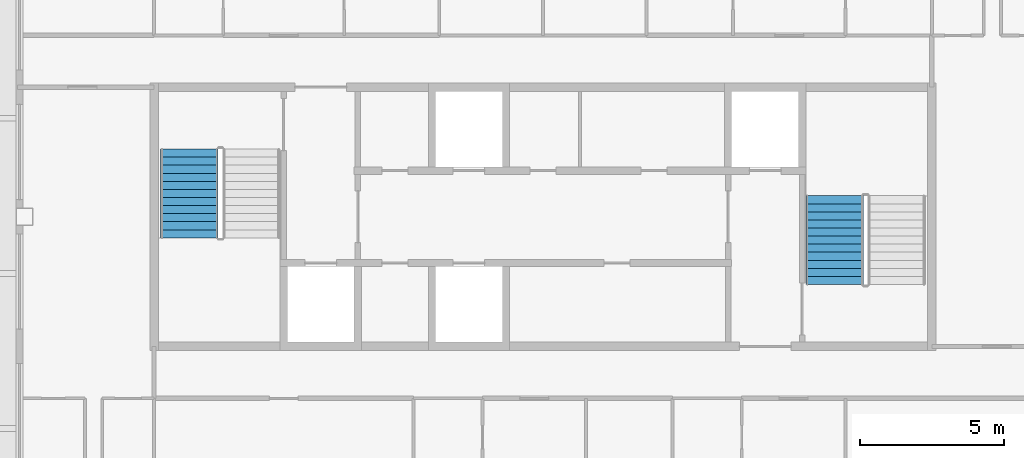
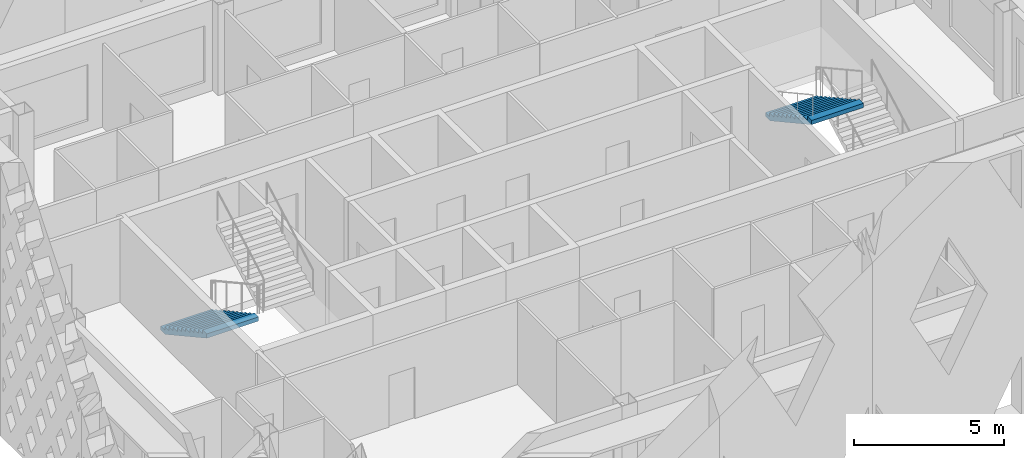
# One storey, part 7 of 13: 2 stair flights, 2 elements without a shape of their own.
"""IFC4 building model written with IfcOpenShell, lengths in metres."""

from ifc_helpers import new_model, si_unit, direction, frame, origin, place, context, subcontext, project, spatial, polygons, material, type_object, element, aggregate, save


model = new_model("IFC4")

# Units and contexts
model_context = context("Model", 3, precision=1e-05, world=origin(), true_north=direction((0.0, 1.0)))
body_context = subcontext(model_context, "Body", "Model", "MODEL_VIEW")
ifc_project = project(units=[si_unit("LENGTHUNIT", "METRE"), si_unit("AREAUNIT", "SQUARE_METRE"), si_unit("VOLUMEUNIT", "CUBIC_METRE"), si_unit("PLANEANGLEUNIT", "RADIAN"), si_unit("MASSUNIT", "GRAM", prefix="KILO")], contexts=[model_context])

# Site, building, storey
site_placement = place(None, origin())
site = spatial("IfcSite", under=ifc_project, at=site_placement, CompositionType="ELEMENT")
building_placement = place(site_placement, origin())
building = spatial("IfcBuilding", under=site, at=building_placement, Name="Caravel Reach Hotel and Residences", CompositionType="ELEMENT")
storey_placement = place(building_placement, frame((0.0, 0.0, 283.39990234375)))
storey = spatial("IfcBuildingStorey", under=building, at=storey_placement, Name="L72", CompositionType="ELEMENT", Elevation=283.39990234375)

# Stair, stair flight
ifc_material_1 = material(Name="Concrete C40", Category="concrete")
stair_type = type_object("IfcStairType", Name="Core stair", PredefinedType="HALF_TURN_STAIR", material=ifc_material_1)
stair_1_placement = place(storey_placement, origin())
stair_1 = element("IfcStair", 1, at=stair_1_placement, inside=storey, type_object=stair_type, Name="L72 Exit stair A", PredefinedType="HALF_TURN_STAIR")
ifc_material_2 = material(Name="Concrete C40", Category="concrete")
stair_flight_type = type_object("IfcStairFlightType", Name="Core stair flight", PredefinedType="STRAIGHT", material=ifc_material_2)
stair_flight_1_placement = place(storey_placement, frame((19.22509765625, 29.35009765625, 0.0), z_axis=(0.0, 0.0, 1.0), x_axis=(0.0, -1.0, 0.0)))
stair_flight_1 = element("IfcStairFlight", 2, at=stair_flight_1_placement, type_object=stair_flight_type, Name="ST-A flight 1", NumberOfRisers=12, NumberOfTreads=11, PredefinedType="STRAIGHT", RiserHeight=0.154166667, TreadLength=0.28, context=body_context, shape_type="Tessellation", body=[
    polygons([(0.3107950034306102, 1.0, 0.0), (0.3107950034306102, 0.6666666666666667, 0.0), (0.3107950034306102, 0.33333333333333337, 0.0), (0.3107950034306102, 0.0, 0.0), (0.3107950034306102, -0.33333333333333326, 0.0), (0.3107950034306102, -0.6666666666666667, 0.0), (0.3107950034306102, -1.0, 0.0), (3.081, 1.0, 1.524711087717319), (3.081, 0.6666666666666667, 1.524711087717319), (3.081, 0.33333333333333337, 1.524711087717319), (3.081, 0.0, 1.524711087717319), (3.081, -0.33333333333333326, 1.524711087717319), (3.081, -0.6666666666666667, 1.524711087717319), (3.081, -1.0, 1.524711087717319), (3.081, 1.0, 1.695833337), (3.081, 0.6666666666666667, 1.695833337), (3.081, 0.33333333333333337, 1.695833337), (3.081, 0.0, 1.695833337), (3.081, -0.33333333333333326, 1.695833337), (3.081, -0.6666666666666667, 1.695833337), (3.081, -1.0, 1.695833337), (2.8000000000000003, 1.0, 1.695833337), (2.8000000000000003, 0.6666666666666667, 1.695833337), (2.8000000000000003, 0.33333333333333337, 1.695833337), (2.8000000000000003, 0.0, 1.695833337), (2.8000000000000003, -0.33333333333333326, 1.695833337), (2.8000000000000003, -0.6666666666666667, 1.695833337), (2.8000000000000003, -1.0, 1.695833337), (2.8000000000000003, 1.0, 1.5416666700000001), (2.8000000000000003, 0.6666666666666667, 1.5416666700000001), (2.8000000000000003, 0.33333333333333337, 1.5416666700000001), (2.8000000000000003, 0.0, 1.5416666700000001), (2.8000000000000003, -0.33333333333333326, 1.5416666700000001), (2.8000000000000003, -0.6666666666666667, 1.5416666700000001), (2.8000000000000003, -1.0, 1.5416666700000001), (2.5200000000000005, 1.0, 1.5416666700000001), (2.5200000000000005, 0.6666666666666667, 1.5416666700000001), (2.5200000000000005, 0.33333333333333337, 1.5416666700000001), (2.5200000000000005, 0.0, 1.5416666700000001), (2.5200000000000005, -0.33333333333333326, 1.5416666700000001), (2.5200000000000005, -0.6666666666666667, 1.5416666700000001), (2.5200000000000005, -1.0, 1.5416666700000001), (2.5200000000000005, 1.0, 1.387500003), (2.5200000000000005, 0.6666666666666667, 1.387500003), (2.5200000000000005, 0.33333333333333337, 1.387500003), (2.5200000000000005, 0.0, 1.387500003), (2.5200000000000005, -0.33333333333333326, 1.387500003), (2.5200000000000005, -0.6666666666666667, 1.387500003), (2.5200000000000005, -1.0, 1.387500003), (2.24, 1.0, 1.387500003), (2.24, 0.6666666666666667, 1.387500003), (2.24, 0.33333333333333337, 1.387500003), (2.24, 0.0, 1.387500003), (2.24, -0.33333333333333326, 1.387500003), (2.24, -0.6666666666666667, 1.387500003), (2.24, -1.0, 1.387500003), (2.24, 1.0, 1.233333336), (2.24, 0.6666666666666667, 1.233333336), (2.24, 0.33333333333333337, 1.233333336), (2.24, 0.0, 1.233333336), (2.24, -0.33333333333333326, 1.233333336), (2.24, -0.6666666666666667, 1.233333336), (2.24, -1.0, 1.233333336), (1.9600000000000002, 1.0, 1.233333336), (1.9600000000000002, 0.6666666666666667, 1.233333336), (1.9600000000000002, 0.33333333333333337, 1.233333336), (1.9600000000000002, 0.0, 1.233333336), (1.9600000000000002, -0.33333333333333326, 1.233333336), (1.9600000000000002, -0.6666666666666667, 1.233333336), (1.9600000000000002, -1.0, 1.233333336), (1.9600000000000002, 1.0, 1.0791666690000001), (1.9600000000000002, 0.6666666666666667, 1.0791666690000001), (1.9600000000000002, 0.33333333333333337, 1.0791666690000001), (1.9600000000000002, 0.0, 1.0791666690000001), (1.9600000000000002, -0.33333333333333326, 1.0791666690000001), (1.9600000000000002, -0.6666666666666667, 1.0791666690000001), (1.9600000000000002, -1.0, 1.0791666690000001), (1.6800000000000002, 1.0, 1.0791666690000001), (1.6800000000000002, 0.6666666666666667, 1.0791666690000001), (1.6800000000000002, 0.33333333333333337, 1.0791666690000001), (1.6800000000000002, 0.0, 1.0791666690000001), (1.6800000000000002, -0.33333333333333326, 1.0791666690000001), (1.6800000000000002, -0.6666666666666667, 1.0791666690000001), (1.6800000000000002, -1.0, 1.0791666690000001), (1.6800000000000002, 1.0, 0.925000002), (1.6800000000000002, 0.6666666666666667, 0.925000002), (1.6800000000000002, 0.33333333333333337, 0.925000002), (1.6800000000000002, 0.0, 0.925000002), (1.6800000000000002, -0.33333333333333326, 0.925000002), (1.6800000000000002, -0.6666666666666667, 0.925000002), (1.6800000000000002, -1.0, 0.925000002), (1.4000000000000001, 1.0, 0.925000002), (1.4000000000000001, 0.6666666666666667, 0.925000002), (1.4000000000000001, 0.33333333333333337, 0.925000002), (1.4000000000000001, 0.0, 0.925000002), (1.4000000000000001, -0.33333333333333326, 0.925000002), (1.4000000000000001, -0.6666666666666667, 0.925000002), (1.4000000000000001, -1.0, 0.925000002), (1.4000000000000001, 1.0, 0.7708333350000001), (1.4000000000000001, 0.6666666666666667, 0.7708333350000001), (1.4000000000000001, 0.33333333333333337, 0.7708333350000001), (1.4000000000000001, 0.0, 0.7708333350000001), (1.4000000000000001, -0.33333333333333326, 0.7708333350000001), (1.4000000000000001, -0.6666666666666667, 0.7708333350000001), (1.4000000000000001, -1.0, 0.7708333350000001), (1.12, 1.0, 0.7708333350000001), (1.12, 0.6666666666666667, 0.7708333350000001), (1.12, 0.33333333333333337, 0.7708333350000001), (1.12, 0.0, 0.7708333350000001), (1.12, -0.33333333333333326, 0.7708333350000001), (1.12, -0.6666666666666667, 0.7708333350000001), (1.12, -1.0, 0.7708333350000001), (1.12, 1.0, 0.616666668), (1.12, 0.6666666666666667, 0.616666668), (1.12, 0.33333333333333337, 0.616666668), (1.12, 0.0, 0.616666668), (1.12, -0.33333333333333326, 0.616666668), (1.12, -0.6666666666666667, 0.616666668), (1.12, -1.0, 0.616666668), (0.8400000000000001, 1.0, 0.616666668), (0.8400000000000001, 0.6666666666666667, 0.616666668), (0.8400000000000001, 0.33333333333333337, 0.616666668), (0.8400000000000001, 0.0, 0.616666668), (0.8400000000000001, -0.33333333333333326, 0.616666668), (0.8400000000000001, -0.6666666666666667, 0.616666668), (0.8400000000000001, -1.0, 0.616666668), (0.8400000000000001, 1.0, 0.462500001), (0.8400000000000001, 0.6666666666666667, 0.462500001), (0.8400000000000001, 0.33333333333333337, 0.462500001), (0.8400000000000001, 0.0, 0.462500001), (0.8400000000000001, -0.33333333333333326, 0.462500001), (0.8400000000000001, -0.6666666666666667, 0.462500001), (0.8400000000000001, -1.0, 0.462500001), (0.56, 1.0, 0.462500001), (0.56, 0.6666666666666667, 0.462500001), (0.56, 0.33333333333333337, 0.462500001), (0.56, 0.0, 0.462500001), (0.56, -0.33333333333333326, 0.462500001), (0.56, -0.6666666666666667, 0.462500001), (0.56, -1.0, 0.462500001), (0.56, 1.0, 0.308333334), (0.56, 0.6666666666666667, 0.308333334), (0.56, 0.33333333333333337, 0.308333334), (0.56, 0.0, 0.308333334), (0.56, -0.33333333333333326, 0.308333334), (0.56, -0.6666666666666667, 0.308333334), (0.56, -1.0, 0.308333334), (0.28, 1.0, 0.308333334), (0.28, 0.6666666666666667, 0.308333334), (0.28, 0.33333333333333337, 0.308333334), (0.28, 0.0, 0.308333334), (0.28, -0.33333333333333326, 0.308333334), (0.28, -0.6666666666666667, 0.308333334), (0.28, -1.0, 0.308333334), (0.28, 1.0, 0.154166667), (0.28, 0.6666666666666667, 0.154166667), (0.28, 0.33333333333333337, 0.154166667), (0.28, 0.0, 0.154166667), (0.28, -0.33333333333333326, 0.154166667), (0.28, -0.6666666666666667, 0.154166667), (0.28, -1.0, 0.154166667), (-0.001, 1.0, 0.154166667), (-0.001, 0.6666666666666667, 0.154166667), (-0.001, 0.33333333333333337, 0.154166667), (-0.001, 0.0, 0.154166667), (-0.001, -0.33333333333333326, 0.154166667), (-0.001, -0.6666666666666667, 0.154166667), (-0.001, -1.0, 0.154166667), (-0.001, 1.0, 0.0), (-0.001, 0.6666666666666667, 0.0), (-0.001, 0.33333333333333337, 0.0), (-0.001, 0.0, 0.0), (-0.001, -0.33333333333333326, 0.0), (-0.001, -0.6666666666666667, 0.0), (-0.001, -1.0, 0.0)], [[[169, 162, 155, 148, 141, 134, 127, 120, 113, 106, 99, 92, 85, 78, 71, 64, 57, 50, 43, 36, 29, 22, 15, 8, 1]], [[7, 14, 21, 28, 35, 42, 49, 56, 63, 70, 77, 84, 91, 98, 105, 112, 119, 126, 133, 140, 147, 154, 161, 168, 175]], [[1, 8, 9, 2]], [[2, 9, 10, 3]], [[3, 10, 11, 4]], [[4, 11, 12, 5]], [[5, 12, 13, 6]], [[6, 13, 14, 7]], [[8, 15, 16, 9]], [[9, 16, 17, 10]], [[10, 17, 18, 11]], [[11, 18, 19, 12]], [[12, 19, 20, 13]], [[13, 20, 21, 14]], [[15, 22, 23, 16]], [[16, 23, 24, 17]], [[17, 24, 25, 18]], [[18, 25, 26, 19]], [[19, 26, 27, 20]], [[20, 27, 28, 21]], [[22, 29, 30, 23]], [[23, 30, 31, 24]], [[24, 31, 32, 25]], [[25, 32, 33, 26]], [[26, 33, 34, 27]], [[27, 34, 35, 28]], [[29, 36, 37, 30]], [[30, 37, 38, 31]], [[31, 38, 39, 32]], [[32, 39, 40, 33]], [[33, 40, 41, 34]], [[34, 41, 42, 35]], [[36, 43, 44, 37]], [[37, 44, 45, 38]], [[38, 45, 46, 39]], [[39, 46, 47, 40]], [[40, 47, 48, 41]], [[41, 48, 49, 42]], [[43, 50, 51, 44]], [[44, 51, 52, 45]], [[45, 52, 53, 46]], [[46, 53, 54, 47]], [[47, 54, 55, 48]], [[48, 55, 56, 49]], [[50, 57, 58, 51]], [[51, 58, 59, 52]], [[52, 59, 60, 53]], [[53, 60, 61, 54]], [[54, 61, 62, 55]], [[55, 62, 63, 56]], [[57, 64, 65, 58]], [[58, 65, 66, 59]], [[59, 66, 67, 60]], [[60, 67, 68, 61]], [[61, 68, 69, 62]], [[62, 69, 70, 63]], [[64, 71, 72, 65]], [[65, 72, 73, 66]], [[66, 73, 74, 67]], [[67, 74, 75, 68]], [[68, 75, 76, 69]], [[69, 76, 77, 70]], [[71, 78, 79, 72]], [[72, 79, 80, 73]], [[73, 80, 81, 74]], [[74, 81, 82, 75]], [[75, 82, 83, 76]], [[76, 83, 84, 77]], [[78, 85, 86, 79]], [[79, 86, 87, 80]], [[80, 87, 88, 81]], [[81, 88, 89, 82]], [[82, 89, 90, 83]], [[83, 90, 91, 84]], [[85, 92, 93, 86]], [[86, 93, 94, 87]], [[87, 94, 95, 88]], [[88, 95, 96, 89]], [[89, 96, 97, 90]], [[90, 97, 98, 91]], [[92, 99, 100, 93]], [[93, 100, 101, 94]], [[94, 101, 102, 95]], [[95, 102, 103, 96]], [[96, 103, 104, 97]], [[97, 104, 105, 98]], [[99, 106, 107, 100]], [[100, 107, 108, 101]], [[101, 108, 109, 102]], [[102, 109, 110, 103]], [[103, 110, 111, 104]], [[104, 111, 112, 105]], [[106, 113, 114, 107]], [[107, 114, 115, 108]], [[108, 115, 116, 109]], [[109, 116, 117, 110]], [[110, 117, 118, 111]], [[111, 118, 119, 112]], [[113, 120, 121, 114]], [[114, 121, 122, 115]], [[115, 122, 123, 116]], [[116, 123, 124, 117]], [[117, 124, 125, 118]], [[118, 125, 126, 119]], [[120, 127, 128, 121]], [[121, 128, 129, 122]], [[122, 129, 130, 123]], [[123, 130, 131, 124]], [[124, 131, 132, 125]], [[125, 132, 133, 126]], [[127, 134, 135, 128]], [[128, 135, 136, 129]], [[129, 136, 137, 130]], [[130, 137, 138, 131]], [[131, 138, 139, 132]], [[132, 139, 140, 133]], [[134, 141, 142, 135]], [[135, 142, 143, 136]], [[136, 143, 144, 137]], [[137, 144, 145, 138]], [[138, 145, 146, 139]], [[139, 146, 147, 140]], [[141, 148, 149, 142]], [[142, 149, 150, 143]], [[143, 150, 151, 144]], [[144, 151, 152, 145]], [[145, 152, 153, 146]], [[146, 153, 154, 147]], [[148, 155, 156, 149]], [[149, 156, 157, 150]], [[150, 157, 158, 151]], [[151, 158, 159, 152]], [[152, 159, 160, 153]], [[153, 160, 161, 154]], [[155, 162, 163, 156]], [[156, 163, 164, 157]], [[157, 164, 165, 158]], [[158, 165, 166, 159]], [[159, 166, 167, 160]], [[160, 167, 168, 161]], [[162, 169, 170, 163]], [[163, 170, 171, 164]], [[164, 171, 172, 165]], [[165, 172, 173, 166]], [[166, 173, 174, 167]], [[167, 174, 175, 168]], [[169, 1, 2, 170]], [[170, 2, 3, 171]], [[171, 3, 4, 172]], [[172, 4, 5, 173]], [[173, 5, 6, 174]], [[174, 6, 7, 175]]], closed=True),
])
aggregate(stair_1, [stair_flight_1])

stair_2_placement = place(storey_placement, origin())
stair_2 = element("IfcStair", 3, at=stair_2_placement, inside=storey, type_object=stair_type, Name="L72 Exit stair B", PredefinedType="HALF_TURN_STAIR")
stair_flight_2_placement = place(storey_placement, frame((41.625, 27.72998046875, 1.85009765625), z_axis=(0.0, 0.0, 1.0), x_axis=(0.0, -1.0, 0.0)))
stair_flight_2 = element("IfcStairFlight", 4, at=stair_flight_2_placement, type_object=stair_flight_type, Name="ST-B flight 2", NumberOfRisers=12, NumberOfTreads=11, PredefinedType="STRAIGHT", RiserHeight=0.154166667, TreadLength=0.28, context=body_context, shape_type="Tessellation", body=[
    polygons([(0.3107950034306102, 1.0, 0.0), (0.3107950034306102, 0.6666666666666667, 0.0), (0.3107950034306102, 0.33333333333333337, 0.0), (0.3107950034306102, 0.0, 0.0), (0.3107950034306102, -0.33333333333333326, 0.0), (0.3107950034306102, -0.6666666666666667, 0.0), (0.3107950034306102, -1.0, 0.0), (3.081, 1.0, 1.524711087717319), (3.081, 0.6666666666666667, 1.524711087717319), (3.081, 0.33333333333333337, 1.524711087717319), (3.081, 0.0, 1.524711087717319), (3.081, -0.33333333333333326, 1.524711087717319), (3.081, -0.6666666666666667, 1.524711087717319), (3.081, -1.0, 1.524711087717319), (3.081, 1.0, 1.695833337), (3.081, 0.6666666666666667, 1.695833337), (3.081, 0.33333333333333337, 1.695833337), (3.081, 0.0, 1.695833337), (3.081, -0.33333333333333326, 1.695833337), (3.081, -0.6666666666666667, 1.695833337), (3.081, -1.0, 1.695833337), (2.8000000000000003, 1.0, 1.695833337), (2.8000000000000003, 0.6666666666666667, 1.695833337), (2.8000000000000003, 0.33333333333333337, 1.695833337), (2.8000000000000003, 0.0, 1.695833337), (2.8000000000000003, -0.33333333333333326, 1.695833337), (2.8000000000000003, -0.6666666666666667, 1.695833337), (2.8000000000000003, -1.0, 1.695833337), (2.8000000000000003, 1.0, 1.5416666700000001), (2.8000000000000003, 0.6666666666666667, 1.5416666700000001), (2.8000000000000003, 0.33333333333333337, 1.5416666700000001), (2.8000000000000003, 0.0, 1.5416666700000001), (2.8000000000000003, -0.33333333333333326, 1.5416666700000001), (2.8000000000000003, -0.6666666666666667, 1.5416666700000001), (2.8000000000000003, -1.0, 1.5416666700000001), (2.5200000000000005, 1.0, 1.5416666700000001), (2.5200000000000005, 0.6666666666666667, 1.5416666700000001), (2.5200000000000005, 0.33333333333333337, 1.5416666700000001), (2.5200000000000005, 0.0, 1.5416666700000001), (2.5200000000000005, -0.33333333333333326, 1.5416666700000001), (2.5200000000000005, -0.6666666666666667, 1.5416666700000001), (2.5200000000000005, -1.0, 1.5416666700000001), (2.5200000000000005, 1.0, 1.387500003), (2.5200000000000005, 0.6666666666666667, 1.387500003), (2.5200000000000005, 0.33333333333333337, 1.387500003), (2.5200000000000005, 0.0, 1.387500003), (2.5200000000000005, -0.33333333333333326, 1.387500003), (2.5200000000000005, -0.6666666666666667, 1.387500003), (2.5200000000000005, -1.0, 1.387500003), (2.24, 1.0, 1.387500003), (2.24, 0.6666666666666667, 1.387500003), (2.24, 0.33333333333333337, 1.387500003), (2.24, 0.0, 1.387500003), (2.24, -0.33333333333333326, 1.387500003), (2.24, -0.6666666666666667, 1.387500003), (2.24, -1.0, 1.387500003), (2.24, 1.0, 1.233333336), (2.24, 0.6666666666666667, 1.233333336), (2.24, 0.33333333333333337, 1.233333336), (2.24, 0.0, 1.233333336), (2.24, -0.33333333333333326, 1.233333336), (2.24, -0.6666666666666667, 1.233333336), (2.24, -1.0, 1.233333336), (1.9600000000000002, 1.0, 1.233333336), (1.9600000000000002, 0.6666666666666667, 1.233333336), (1.9600000000000002, 0.33333333333333337, 1.233333336), (1.9600000000000002, 0.0, 1.233333336), (1.9600000000000002, -0.33333333333333326, 1.233333336), (1.9600000000000002, -0.6666666666666667, 1.233333336), (1.9600000000000002, -1.0, 1.233333336), (1.9600000000000002, 1.0, 1.0791666690000001), (1.9600000000000002, 0.6666666666666667, 1.0791666690000001), (1.9600000000000002, 0.33333333333333337, 1.0791666690000001), (1.9600000000000002, 0.0, 1.0791666690000001), (1.9600000000000002, -0.33333333333333326, 1.0791666690000001), (1.9600000000000002, -0.6666666666666667, 1.0791666690000001), (1.9600000000000002, -1.0, 1.0791666690000001), (1.6800000000000002, 1.0, 1.0791666690000001), (1.6800000000000002, 0.6666666666666667, 1.0791666690000001), (1.6800000000000002, 0.33333333333333337, 1.0791666690000001), (1.6800000000000002, 0.0, 1.0791666690000001), (1.6800000000000002, -0.33333333333333326, 1.0791666690000001), (1.6800000000000002, -0.6666666666666667, 1.0791666690000001), (1.6800000000000002, -1.0, 1.0791666690000001), (1.6800000000000002, 1.0, 0.925000002), (1.6800000000000002, 0.6666666666666667, 0.925000002), (1.6800000000000002, 0.33333333333333337, 0.925000002), (1.6800000000000002, 0.0, 0.925000002), (1.6800000000000002, -0.33333333333333326, 0.925000002), (1.6800000000000002, -0.6666666666666667, 0.925000002), (1.6800000000000002, -1.0, 0.925000002), (1.4000000000000001, 1.0, 0.925000002), (1.4000000000000001, 0.6666666666666667, 0.925000002), (1.4000000000000001, 0.33333333333333337, 0.925000002), (1.4000000000000001, 0.0, 0.925000002), (1.4000000000000001, -0.33333333333333326, 0.925000002), (1.4000000000000001, -0.6666666666666667, 0.925000002), (1.4000000000000001, -1.0, 0.925000002), (1.4000000000000001, 1.0, 0.7708333350000001), (1.4000000000000001, 0.6666666666666667, 0.7708333350000001), (1.4000000000000001, 0.33333333333333337, 0.7708333350000001), (1.4000000000000001, 0.0, 0.7708333350000001), (1.4000000000000001, -0.33333333333333326, 0.7708333350000001), (1.4000000000000001, -0.6666666666666667, 0.7708333350000001), (1.4000000000000001, -1.0, 0.7708333350000001), (1.12, 1.0, 0.7708333350000001), (1.12, 0.6666666666666667, 0.7708333350000001), (1.12, 0.33333333333333337, 0.7708333350000001), (1.12, 0.0, 0.7708333350000001), (1.12, -0.33333333333333326, 0.7708333350000001), (1.12, -0.6666666666666667, 0.7708333350000001), (1.12, -1.0, 0.7708333350000001), (1.12, 1.0, 0.616666668), (1.12, 0.6666666666666667, 0.616666668), (1.12, 0.33333333333333337, 0.616666668), (1.12, 0.0, 0.616666668), (1.12, -0.33333333333333326, 0.616666668), (1.12, -0.6666666666666667, 0.616666668), (1.12, -1.0, 0.616666668), (0.8400000000000001, 1.0, 0.616666668), (0.8400000000000001, 0.6666666666666667, 0.616666668), (0.8400000000000001, 0.33333333333333337, 0.616666668), (0.8400000000000001, 0.0, 0.616666668), (0.8400000000000001, -0.33333333333333326, 0.616666668), (0.8400000000000001, -0.6666666666666667, 0.616666668), (0.8400000000000001, -1.0, 0.616666668), (0.8400000000000001, 1.0, 0.462500001), (0.8400000000000001, 0.6666666666666667, 0.462500001), (0.8400000000000001, 0.33333333333333337, 0.462500001), (0.8400000000000001, 0.0, 0.462500001), (0.8400000000000001, -0.33333333333333326, 0.462500001), (0.8400000000000001, -0.6666666666666667, 0.462500001), (0.8400000000000001, -1.0, 0.462500001), (0.56, 1.0, 0.462500001), (0.56, 0.6666666666666667, 0.462500001), (0.56, 0.33333333333333337, 0.462500001), (0.56, 0.0, 0.462500001), (0.56, -0.33333333333333326, 0.462500001), (0.56, -0.6666666666666667, 0.462500001), (0.56, -1.0, 0.462500001), (0.56, 1.0, 0.308333334), (0.56, 0.6666666666666667, 0.308333334), (0.56, 0.33333333333333337, 0.308333334), (0.56, 0.0, 0.308333334), (0.56, -0.33333333333333326, 0.308333334), (0.56, -0.6666666666666667, 0.308333334), (0.56, -1.0, 0.308333334), (0.28, 1.0, 0.308333334), (0.28, 0.6666666666666667, 0.308333334), (0.28, 0.33333333333333337, 0.308333334), (0.28, 0.0, 0.308333334), (0.28, -0.33333333333333326, 0.308333334), (0.28, -0.6666666666666667, 0.308333334), (0.28, -1.0, 0.308333334), (0.28, 1.0, 0.154166667), (0.28, 0.6666666666666667, 0.154166667), (0.28, 0.33333333333333337, 0.154166667), (0.28, 0.0, 0.154166667), (0.28, -0.33333333333333326, 0.154166667), (0.28, -0.6666666666666667, 0.154166667), (0.28, -1.0, 0.154166667), (-0.001, 1.0, 0.154166667), (-0.001, 0.6666666666666667, 0.154166667), (-0.001, 0.33333333333333337, 0.154166667), (-0.001, 0.0, 0.154166667), (-0.001, -0.33333333333333326, 0.154166667), (-0.001, -0.6666666666666667, 0.154166667), (-0.001, -1.0, 0.154166667), (-0.001, 1.0, 0.0), (-0.001, 0.6666666666666667, 0.0), (-0.001, 0.33333333333333337, 0.0), (-0.001, 0.0, 0.0), (-0.001, -0.33333333333333326, 0.0), (-0.001, -0.6666666666666667, 0.0), (-0.001, -1.0, 0.0)], [[[169, 162, 155, 148, 141, 134, 127, 120, 113, 106, 99, 92, 85, 78, 71, 64, 57, 50, 43, 36, 29, 22, 15, 8, 1]], [[7, 14, 21, 28, 35, 42, 49, 56, 63, 70, 77, 84, 91, 98, 105, 112, 119, 126, 133, 140, 147, 154, 161, 168, 175]], [[1, 8, 9, 2]], [[2, 9, 10, 3]], [[3, 10, 11, 4]], [[4, 11, 12, 5]], [[5, 12, 13, 6]], [[6, 13, 14, 7]], [[8, 15, 16, 9]], [[9, 16, 17, 10]], [[10, 17, 18, 11]], [[11, 18, 19, 12]], [[12, 19, 20, 13]], [[13, 20, 21, 14]], [[15, 22, 23, 16]], [[16, 23, 24, 17]], [[17, 24, 25, 18]], [[18, 25, 26, 19]], [[19, 26, 27, 20]], [[20, 27, 28, 21]], [[22, 29, 30, 23]], [[23, 30, 31, 24]], [[24, 31, 32, 25]], [[25, 32, 33, 26]], [[26, 33, 34, 27]], [[27, 34, 35, 28]], [[29, 36, 37, 30]], [[30, 37, 38, 31]], [[31, 38, 39, 32]], [[32, 39, 40, 33]], [[33, 40, 41, 34]], [[34, 41, 42, 35]], [[36, 43, 44, 37]], [[37, 44, 45, 38]], [[38, 45, 46, 39]], [[39, 46, 47, 40]], [[40, 47, 48, 41]], [[41, 48, 49, 42]], [[43, 50, 51, 44]], [[44, 51, 52, 45]], [[45, 52, 53, 46]], [[46, 53, 54, 47]], [[47, 54, 55, 48]], [[48, 55, 56, 49]], [[50, 57, 58, 51]], [[51, 58, 59, 52]], [[52, 59, 60, 53]], [[53, 60, 61, 54]], [[54, 61, 62, 55]], [[55, 62, 63, 56]], [[57, 64, 65, 58]], [[58, 65, 66, 59]], [[59, 66, 67, 60]], [[60, 67, 68, 61]], [[61, 68, 69, 62]], [[62, 69, 70, 63]], [[64, 71, 72, 65]], [[65, 72, 73, 66]], [[66, 73, 74, 67]], [[67, 74, 75, 68]], [[68, 75, 76, 69]], [[69, 76, 77, 70]], [[71, 78, 79, 72]], [[72, 79, 80, 73]], [[73, 80, 81, 74]], [[74, 81, 82, 75]], [[75, 82, 83, 76]], [[76, 83, 84, 77]], [[78, 85, 86, 79]], [[79, 86, 87, 80]], [[80, 87, 88, 81]], [[81, 88, 89, 82]], [[82, 89, 90, 83]], [[83, 90, 91, 84]], [[85, 92, 93, 86]], [[86, 93, 94, 87]], [[87, 94, 95, 88]], [[88, 95, 96, 89]], [[89, 96, 97, 90]], [[90, 97, 98, 91]], [[92, 99, 100, 93]], [[93, 100, 101, 94]], [[94, 101, 102, 95]], [[95, 102, 103, 96]], [[96, 103, 104, 97]], [[97, 104, 105, 98]], [[99, 106, 107, 100]], [[100, 107, 108, 101]], [[101, 108, 109, 102]], [[102, 109, 110, 103]], [[103, 110, 111, 104]], [[104, 111, 112, 105]], [[106, 113, 114, 107]], [[107, 114, 115, 108]], [[108, 115, 116, 109]], [[109, 116, 117, 110]], [[110, 117, 118, 111]], [[111, 118, 119, 112]], [[113, 120, 121, 114]], [[114, 121, 122, 115]], [[115, 122, 123, 116]], [[116, 123, 124, 117]], [[117, 124, 125, 118]], [[118, 125, 126, 119]], [[120, 127, 128, 121]], [[121, 128, 129, 122]], [[122, 129, 130, 123]], [[123, 130, 131, 124]], [[124, 131, 132, 125]], [[125, 132, 133, 126]], [[127, 134, 135, 128]], [[128, 135, 136, 129]], [[129, 136, 137, 130]], [[130, 137, 138, 131]], [[131, 138, 139, 132]], [[132, 139, 140, 133]], [[134, 141, 142, 135]], [[135, 142, 143, 136]], [[136, 143, 144, 137]], [[137, 144, 145, 138]], [[138, 145, 146, 139]], [[139, 146, 147, 140]], [[141, 148, 149, 142]], [[142, 149, 150, 143]], [[143, 150, 151, 144]], [[144, 151, 152, 145]], [[145, 152, 153, 146]], [[146, 153, 154, 147]], [[148, 155, 156, 149]], [[149, 156, 157, 150]], [[150, 157, 158, 151]], [[151, 158, 159, 152]], [[152, 159, 160, 153]], [[153, 160, 161, 154]], [[155, 162, 163, 156]], [[156, 163, 164, 157]], [[157, 164, 165, 158]], [[158, 165, 166, 159]], [[159, 166, 167, 160]], [[160, 167, 168, 161]], [[162, 169, 170, 163]], [[163, 170, 171, 164]], [[164, 171, 172, 165]], [[165, 172, 173, 166]], [[166, 173, 174, 167]], [[167, 174, 175, 168]], [[169, 1, 2, 170]], [[170, 2, 3, 171]], [[171, 3, 4, 172]], [[172, 4, 5, 173]], [[173, 5, 6, 174]], [[174, 6, 7, 175]]], closed=True),
])
aggregate(stair_2, [stair_flight_2])

save(model, "model.ifc")
